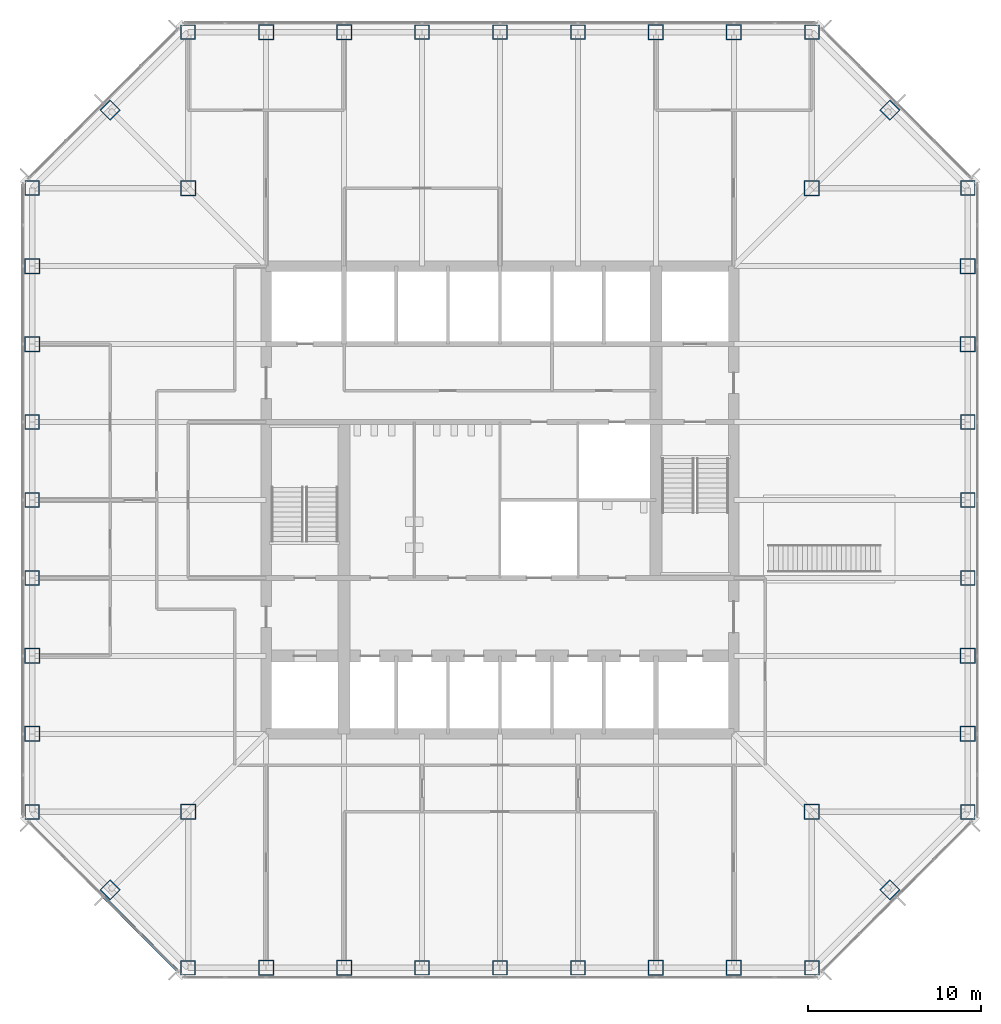
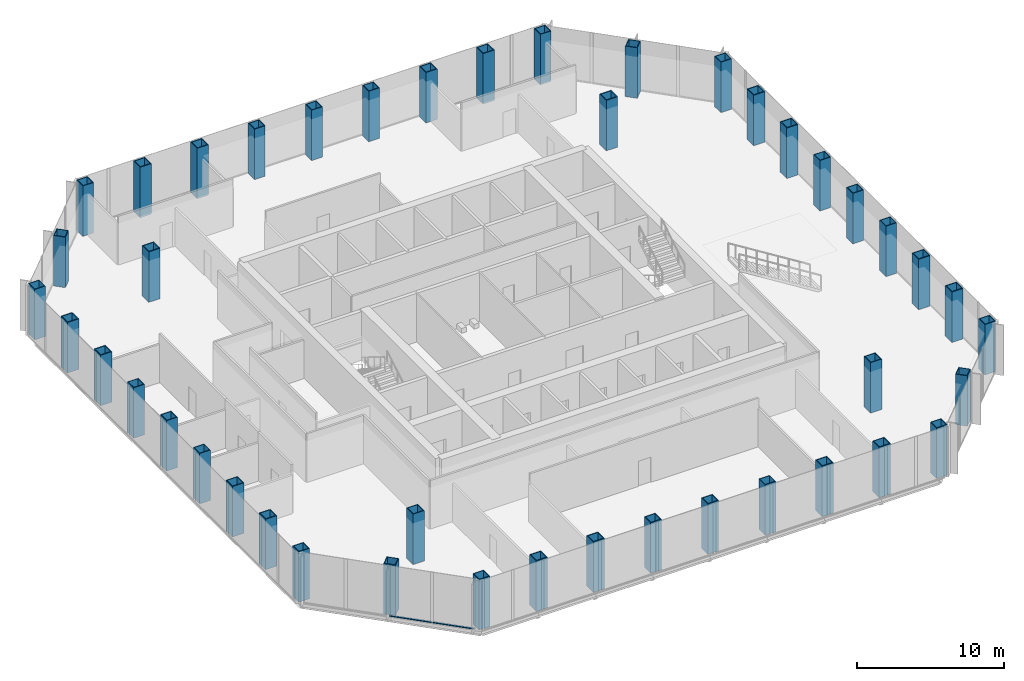
# One storey, part 1 of 12: 44 columns, 2 members, 1 element without a shape of its own.
"""IFC4 building model written with IfcOpenShell, lengths in metres."""

from ifc_helpers import new_model, si_unit, direction, frame, origin, origin_2d, place, context, subcontext, project, spatial, rectangle, hollow_rectangle, extrude, material, material_profile, profile_set, type_object, element, aggregate, save


model = new_model("IFC4")

# Units and contexts
model_context = context("Model", 3, precision=1e-05, world=origin(), true_north=direction((0.0, 1.0)))
body_context = subcontext(model_context, "Body", "Model", "MODEL_VIEW")
ifc_project = project(units=[si_unit("LENGTHUNIT", "METRE"), si_unit("AREAUNIT", "SQUARE_METRE"), si_unit("VOLUMEUNIT", "CUBIC_METRE"), si_unit("PLANEANGLEUNIT", "RADIAN"), si_unit("MASSUNIT", "GRAM", prefix="KILO")], contexts=[model_context])

# Site, building, storey
site_placement = place(None, origin())
site = spatial("IfcSite", under=ifc_project, at=site_placement, CompositionType="ELEMENT")
building_placement = place(site_placement, origin())
building = spatial("IfcBuilding", under=site, at=building_placement, Name="Corais Broadcast Tower", CompositionType="ELEMENT")
storey_placement = place(building_placement, frame((0.0, 0.0, 29.0)))
storey = spatial("IfcBuildingStorey", under=building, at=storey_placement, Name="L05", CompositionType="ELEMENT", Elevation=29.0)

# Columns
ifc_material_1 = material(Name="Steel ASTM A572 Grade 50", Category="steel")
ifc_material_profile_1 = material_profile(ifc_material_1, hollow_rectangle(XDim=0.85009765625, YDim=0.85009765625, WallThickness=0.050048828125, at=origin_2d()), Name="BOX 850x850x50")
ifc_profile_set_1 = profile_set([ifc_material_profile_1], Name="Steel ASTM A572 Grade 50")
column_type_1 = type_object("IfcColumnType", Name="Column BOX 850x850x50", PredefinedType="COLUMN", material=ifc_profile_set_1)
for number, where, z_axis, x_axis, name in (
    (1, (9.0, 0.0, 0.0), (0.0, 0.0, 1.0), (1.0, 0.0, 0.0), "C1 A/5"),
    (2, (22.5, 0.0, 0.0), (0.0, 0.0, 1.0), (1.0, 0.0, 0.0), "C1 A/8"),
    (3, (27.0, 0.0, 0.0), (0.0, 0.0, 1.0), (1.0, 0.0, 0.0), "C1 A/9"),
    (4, (31.5, 0.0, 0.0), (0.0, 0.0, 1.0), (1.0, 0.0, 0.0), "C1 A/10"),
    (5, (45.0, 0.0, 0.0), (0.0, 0.0, 1.0), (1.0, 0.0, 0.0), "C1 A/13"),
    (6, (54.0, 9.0, 0.0), (0.0, 0.0, 1.0), (1.0, 0.0, 0.0), "C1 C/15"),
    (7, (54.0, 22.5, 0.0), (0.0, 0.0, 1.0), (1.0, 0.0, 0.0), "C1 F/15"),
    (8, (54.0, 27.0, 0.0), (0.0, 0.0, 1.0), (1.0, 0.0, 0.0), "C1 G/15"),
    (9, (54.0, 31.5, 0.0), (0.0, 0.0, 1.0), (1.0, 0.0, 0.0), "C1 H/15"),
    (10, (54.0, 45.0, 0.0), (0.0, 0.0, 1.0), (1.0, 0.0, 0.0), "C1 L/15"),
    (11, (45.0, 54.0, 0.0), (0.0, 0.0, 1.0), (1.0, 0.0, 0.0), "C1 N/13"),
    (12, (31.5, 54.0, 0.0), (0.0, 0.0, 1.0), (1.0, 0.0, 0.0), "C1 N/10"),
    (13, (27.0, 54.0, 0.0), (0.0, 0.0, 1.0), (1.0, 0.0, 0.0), "C1 N/9"),
    (14, (22.5, 54.0, 0.0), (0.0, 0.0, 1.0), (1.0, 0.0, 0.0), "C1 N/8"),
    (15, (9.0, 54.0, 0.0), (0.0, 0.0, 1.0), (1.0, 0.0, 0.0), "C1 N/5"),
    (16, (0.0, 45.0, 0.0), (0.0, 0.0, 1.0), (1.0, 0.0, 0.0), "C1 L/3"),
    (17, (0.0, 31.5, 0.0), (0.0, 0.0, 1.0), (1.0, 0.0, 0.0), "C1 H/3"),
    (18, (0.0, 27.0, 0.0), (0.0, 0.0, 1.0), (1.0, 0.0, 0.0), "C1 G/3"),
    (19, (0.0, 22.5, 0.0), (0.0, 0.0, 1.0), (1.0, 0.0, 0.0), "C1 F/3"),
    (20, (0.0, 9.0, 0.0), (0.0, 0.0, 1.0), (1.0, 0.0, 0.0), "C1 C/3"),
    (21, (4.5, 4.5, 0.0), (0.0, 0.0, 1.0), (0.707106781187, 0.707106781187, 0.0), "C1 B/4"),
    (22, (49.5, 4.5, 0.0), (0.0, 0.0, 1.0), (0.707106781187, 0.707106781187, 0.0), "C1 B/14"),
    (23, (49.5, 49.5, 0.0), (0.0, 0.0, 1.0), (0.707106781187, 0.707106781187, 0.0), "C1 M/14"),
    (24, (4.5, 49.5, 0.0), (0.0, 0.0, 1.0), (0.707106781187, 0.707106781187, 0.0), "C1 M/4"),
):
    element("IfcColumn", number, at=place(storey_placement, frame(where, z_axis=z_axis, x_axis=x_axis)), inside=storey, type_object=column_type_1, Name=name, PredefinedType="COLUMN", context=body_context, shape_type="SweptSolid", body=[
        extrude(hollow_rectangle(XDim=0.85009765625, YDim=0.85009765625, WallThickness=0.050048828125, at=origin_2d()), origin(), (0.0, 0.0, 1.0), 4.199951171875),
    ])
ifc_material_2 = material(Name="Steel ASTM A572 Grade 50", Category="steel")
ifc_material_profile_2 = material_profile(ifc_material_2, hollow_rectangle(XDim=0.89990234375, YDim=0.89990234375, WallThickness=0.06298828125, at=origin_2d()), Name="BOX 900x900x63")
ifc_profile_set_2 = profile_set([ifc_material_profile_2], Name="Steel ASTM A572 Grade 50")
column_type_2 = type_object("IfcColumnType", Name="Column BOX 900x900x63", PredefinedType="COLUMN", material=ifc_profile_set_2)
for number, where, z_axis, x_axis, name in (
    (25, (13.5, 0.0, 0.0), (0.0, 0.0, 1.0), (1.0, 0.0, 0.0), "C2 A/6"),
    (26, (18.0, 0.0, 0.0), (0.0, 0.0, 1.0), (1.0, 0.0, 0.0), "C2 A/7"),
    (27, (36.0, 0.0, 0.0), (0.0, 0.0, 1.0), (1.0, 0.0, 0.0), "C2 A/11"),
    (28, (40.5, 0.0, 0.0), (0.0, 0.0, 1.0), (1.0, 0.0, 0.0), "C2 A/12"),
    (29, (54.0, 13.5, 0.0), (0.0, 0.0, 1.0), (1.0, 0.0, 0.0), "C2 D/15"),
    (30, (54.0, 18.0, 0.0), (0.0, 0.0, 1.0), (1.0, 0.0, 0.0), "C2 E/15"),
    (31, (54.0, 36.0, 0.0), (0.0, 0.0, 1.0), (1.0, 0.0, 0.0), "C2 J/15"),
    (32, (54.0, 40.5, 0.0), (0.0, 0.0, 1.0), (1.0, 0.0, 0.0), "C2 K/15"),
    (33, (40.5, 54.0, 0.0), (0.0, 0.0, 1.0), (1.0, 0.0, 0.0), "C2 N/12"),
    (34, (36.0, 54.0, 0.0), (0.0, 0.0, 1.0), (1.0, 0.0, 0.0), "C2 N/11"),
    (35, (18.0, 54.0, 0.0), (0.0, 0.0, 1.0), (1.0, 0.0, 0.0), "C2 N/7"),
    (36, (13.5, 54.0, 0.0), (0.0, 0.0, 1.0), (1.0, 0.0, 0.0), "C2 N/6"),
    (37, (0.0, 40.5, 0.0), (0.0, 0.0, 1.0), (1.0, 0.0, 0.0), "C2 K/3"),
    (38, (0.0, 36.0, 0.0), (0.0, 0.0, 1.0), (1.0, 0.0, 0.0), "C2 J/3"),
    (39, (0.0, 18.0, 0.0), (0.0, 0.0, 1.0), (1.0, 0.0, 0.0), "C2 E/3"),
    (40, (0.0, 13.5, 0.0), (0.0, 0.0, 1.0), (1.0, 0.0, 0.0), "C2 D/3"),
    (41, (9.0, 9.0, 0.0), (0.0, 0.0, 1.0), (1.0, 0.0, 0.0), "C2 C/5"),
    (42, (45.0, 9.0, 0.0), (0.0, 0.0, 1.0), (1.0, 0.0, 0.0), "C2 C/13"),
    (43, (45.0, 45.0, 0.0), (0.0, 0.0, 1.0), (1.0, 0.0, 0.0), "C2 L/13"),
    (44, (9.0, 45.0, 0.0), (0.0, 0.0, 1.0), (1.0, 0.0, 0.0), "C2 L/5"),
):
    element("IfcColumn", number, at=place(storey_placement, frame(where, z_axis=z_axis, x_axis=x_axis)), inside=storey, type_object=column_type_2, Name=name, PredefinedType="COLUMN", context=body_context, shape_type="SweptSolid", body=[
        extrude(hollow_rectangle(XDim=0.89990234375, YDim=0.89990234375, WallThickness=0.06298828125, at=origin_2d()), origin(), (0.0, 0.0, 1.0), 4.199951171875),
    ])

# Curtain wall, members
ifc_material_3 = material(Name="Aluminium and glass", Category="aluminium")
curtain_wall_type = type_object("IfcCurtainWallType", Name="Newsroom clear-glass curtain wall CW7", PredefinedType="NOTDEFINED", material=ifc_material_3)
curtain_wall_placement = place(storey_placement, origin())
curtain_wall = element("IfcCurtainWall", 45, at=curtain_wall_placement, inside=storey, type_object=curtain_wall_type, Name="CW7 curtain wall L05 1", PredefinedType="NOTDEFINED")
ifc_material_4 = material(Name="Aluminium 6063-T6", Category="aluminium")
ifc_material_profile_3 = material_profile(ifc_material_4, rectangle(XDim=0.14990234375, YDim=0.06494140625, at=origin_2d()), Name="Transom CW7 65x150")
ifc_profile_set_3 = profile_set([ifc_material_profile_3], Name="Aluminium 6063-T6")
member_type = type_object("IfcMemberType", Name="Transom CW7 65x150", PredefinedType="USERDEFINED", material=ifc_profile_set_3)
member_1_placement = place(storey_placement, frame((8.37255859375, -0.150390625, 0.032470703125), z_axis=(-0.707106781187, 0.707106781187, 0.0), x_axis=(-0.707106781187, -0.707106781187, 0.0)))
member_1 = element("IfcMember", 46, at=member_1_placement, type_object=member_type, Name="CW7 transom 1.1", ObjectType="TRANSOM", PredefinedType="USERDEFINED", context=body_context, shape_type="SweptSolid", body=[
    extrude(rectangle(XDim=0.14990234375, YDim=0.06494140625, at=origin_2d()), origin(), (0.0, 0.0, 1.0), 2.9482421875),
])
member_2_placement = place(storey_placement, frame((6.241943359375, 1.980224609375, 0.032470703125), z_axis=(-0.707106781187, 0.707106781187, 0.0), x_axis=(-0.707106781187, -0.707106781187, 0.0)))
member_2 = element("IfcMember", 47, at=member_2_placement, type_object=member_type, Name="CW7 transom 2.1", ObjectType="TRANSOM", PredefinedType="USERDEFINED", context=body_context, shape_type="SweptSolid", body=[
    extrude(rectangle(XDim=0.14990234375, YDim=0.06494140625, at=origin_2d()), origin(), (0.0, 0.0, 1.0), 2.98095703125),
])
aggregate(curtain_wall, [member_1, member_2])

save(model, "model.ifc")
